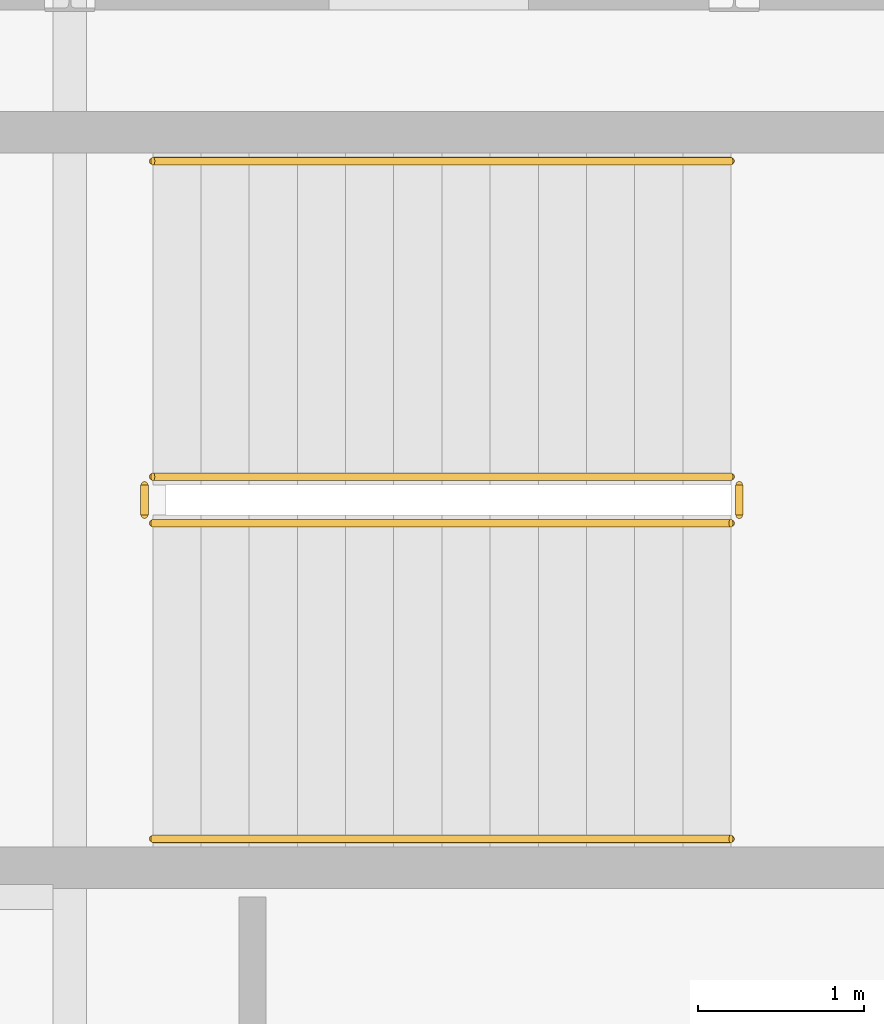
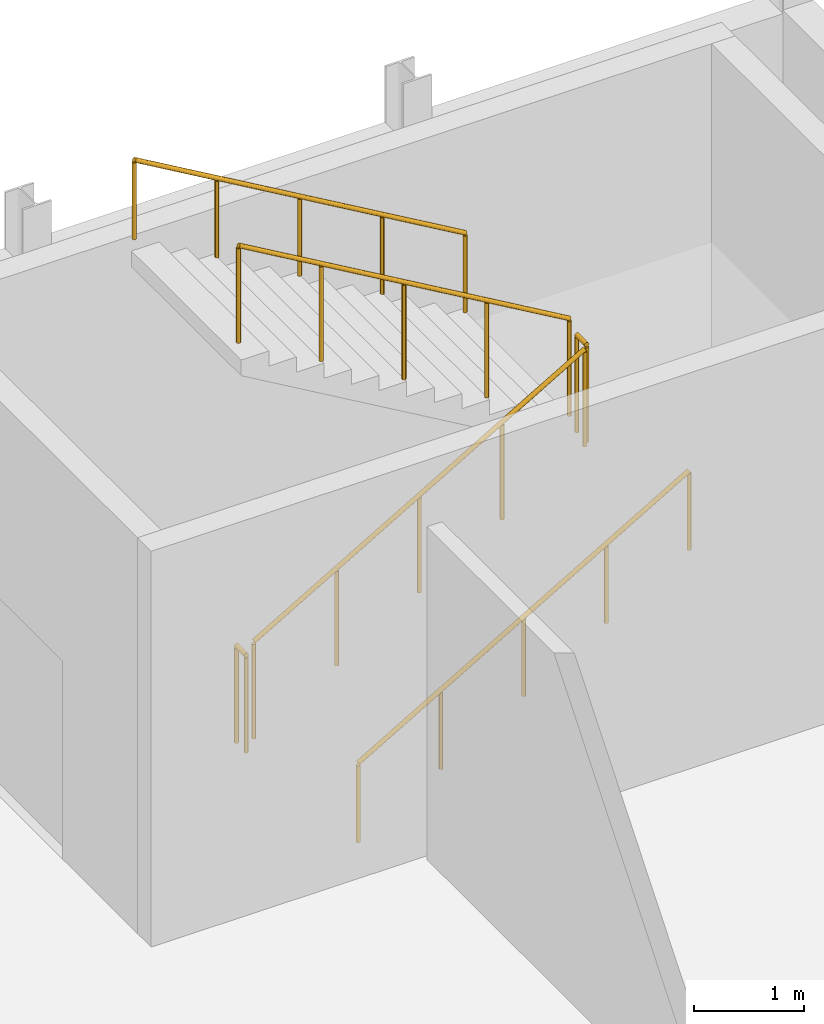
# One storey, part 153 of 153: 6 railings.
"""IFC4 building model written with IfcOpenShell, lengths in metres."""

import ifcopenshell
import ifcopenshell.guid

model = None  # the IFC model being written
_history = None  # IfcOwnerHistory: only IFC2X3 demands one
_inside = {}  # id of a spatial element -> (the spatial element, [elements in it])
_under = {}  # id of a project, library or spatial element -> (it, [spatial elements below it])
_declared = {}  # id of a project -> (the project, [libraries it declares])
_typed = {}  # id of a type object -> (the type object, [elements of that type])
_made_of = {}  # id of a material, layer set ... -> (it, [elements and type objects made of it])


def new_model(schema):
    """Start an empty IFC model of exactly this schema.

    Asked for "IFC4X3", IfcOpenShell would pick the latest addendum, in which some entities
    have other attributes; the version numbers below select the first issue.
    IFC2X3 requires an IfcOwnerHistory on every rooted entity: one is made here for all.
    """
    global model, _history
    if schema == "IFC4X3":
        model = ifcopenshell.file(schema_version=(4, 3, 0, 0))
    else:
        model = ifcopenshell.file(schema=schema)
    _inside.clear()
    _under.clear()
    _declared.clear()
    _typed.clear()
    _made_of.clear()
    _history = None
    if model.schema == "IFC2X3":
        org = make("IfcOrganization", Name="unknown")
        user = make(
            "IfcPersonAndOrganization",
            ThePerson=make("IfcPerson", FamilyName="unknown"),
            TheOrganization=org,
        )
        app = make(
            "IfcApplication",
            ApplicationDeveloper=org,
            Version="unknown",
            ApplicationFullName="unknown",
            ApplicationIdentifier="unknown",
        )
        _history = make(
            "IfcOwnerHistory",
            OwningUser=user,
            OwningApplication=app,
            ChangeAction="ADDED",
            CreationDate=0,
        )
    return model


def make(cls, **values):
    """One entity of the class cls with the attributes given. An attribute that is None is left unset."""
    return model.create_entity(
        cls, **{name: value for name, value in values.items() if value is not None}
    )


def rooted(cls, **values):
    """An entity with a GlobalId (a new one), such as an element, a storey or a relation."""
    return make(cls, GlobalId=ifcopenshell.guid.new(), OwnerHistory=_history, **values)


def si_unit(unit_type, name, prefix=None):
    """IfcSIUnit, for example si_unit("LENGTHUNIT", "METRE", prefix="MILLI")."""
    return make("IfcSIUnit", UnitType=unit_type, Prefix=prefix, Name=name)


def derived_unit(unit_type, elements):
    """IfcDerivedUnit: a product of units, each with its exponent."""
    return make(
        "IfcDerivedUnit",
        Elements=[
            make("IfcDerivedUnitElement", Unit=unit, Exponent=power)
            for unit, power in elements
        ],
        UnitType=unit_type,
    )


def assignment(units):
    """IfcUnitAssignment: the units of a project."""
    return None if units is None else make("IfcUnitAssignment", Units=units)


def point(xyz):
    """IfcCartesianPoint."""
    return None if xyz is None else make("IfcCartesianPoint", Coordinates=xyz)


def direction(xyz):
    """IfcDirection."""
    return None if xyz is None else make("IfcDirection", DirectionRatios=xyz)


def frame(location, z_axis=None, x_axis=None):
    """IfcAxis2Placement3D, a coordinate frame: its origin and axes. An axis left out is left unset."""
    return make(
        "IfcAxis2Placement3D",
        Location=point(location),
        Axis=direction(z_axis),
        RefDirection=direction(x_axis),
    )


def frame_2d(location, x_axis=None):
    """IfcAxis2Placement2D, a coordinate frame in the plane: its origin and x axis."""
    return make(
        "IfcAxis2Placement2D", Location=point(location), RefDirection=direction(x_axis)
    )


def origin():
    """The frame at (0, 0, 0) with its axes left unset."""
    return frame((0.0, 0.0, 0.0))


def origin_2d():
    """The frame at (0, 0) in the plane with its x axis left unset."""
    return frame_2d((0.0, 0.0))


def place(relative_to, where):
    """IfcLocalPlacement: puts the frame where relative to a parent placement (None: the world)."""
    return make(
        "IfcLocalPlacement", PlacementRelTo=relative_to, RelativePlacement=where
    )


def context(
    kind, dimensions, precision=None, world=None, true_north=None, identifier=None
):
    """IfcGeometricRepresentationContext, for example the 3D "Model" context."""
    return make(
        "IfcGeometricRepresentationContext",
        ContextIdentifier=identifier,
        ContextType=kind,
        CoordinateSpaceDimension=dimensions,
        Precision=precision,
        WorldCoordinateSystem=world,
        TrueNorth=true_north,
    )


def subcontext(parent, identifier, kind, view, scale=None):
    """IfcGeometricRepresentationSubContext, for example "Body" below "Model"."""
    return make(
        "IfcGeometricRepresentationSubContext",
        ContextIdentifier=identifier,
        ContextType=kind,
        ParentContext=parent,
        TargetScale=scale,
        TargetView=view,
    )


def project(units=None, contexts=None):
    """IfcProject with its units and contexts."""
    return rooted(
        "IfcProject",
        Name="project",
        RepresentationContexts=contexts,
        UnitsInContext=assignment(units),
    )


def spatial(cls, under=None, at=None, **own):
    """A site, building, storey or space (cls), placed at a placement, below another one or the project."""
    s = rooted(cls, ObjectPlacement=at, **own)
    if under is not None:
        _under.setdefault(under.id(), (under, []))[1].append(s)
    return s


def profile(cls, at=None, kind="AREA", **sizes):
    """A parametric profile (cls). Its sizes go by their IFC names, for example OverallWidth=200.0."""
    return make(cls, ProfileType=kind, Position=at, **sizes)


def circle(**sizes):
    """IfcCircleProfileDef."""
    return profile("IfcCircleProfileDef", **sizes)


def extrude(swept, where, along, depth):
    """IfcExtrudedAreaSolid: the profile swept, set in the frame where, extruded along a direction by depth."""
    return make(
        "IfcExtrudedAreaSolid",
        SweptArea=swept,
        Position=where,
        ExtrudedDirection=direction(along),
        Depth=depth,
    )


def shape(context_of_items, identifier, shape_type, items):
    """IfcShapeRepresentation: the items that make up one representation, for example the "Body"."""
    return make(
        "IfcShapeRepresentation",
        ContextOfItems=context_of_items,
        RepresentationIdentifier=identifier,
        RepresentationType=shape_type,
        Items=items,
    )


def material(Name=None, Category=None):
    """IfcMaterial."""
    return make("IfcMaterial", Name=Name, Category=Category)


def made_of(thing, what):
    """Note that an element or type object is made of a material, layer set ...; save() writes the relation."""
    if what is not None:
        _made_of.setdefault(what.id(), (what, []))[1].append(thing)
    return thing


def type_object(cls, material=None, **own):
    """A type object (cls), such as IfcWallType, which elements share."""
    return made_of(rooted(cls, **own), material)


def element(
    cls,
    number,
    at=None,
    inside=None,
    cuts=None,
    type_object=None,
    material=None,
    context=None,
    identifier="Body",
    shape_type=None,
    held_by="IfcProductDefinitionShape",
    body=None,
    shapes=None,
    **own,
):
    """One element of the class cls, such as IfcWall. Its Tag is "e" and its number.

    at: its placement. inside: the storey or other place that contains it. cuts: it is an
    opening in that element (IfcRelVoidsElement). A single representation is given by context,
    identifier, shape_type and body (its items); several are given by shapes. held_by: the class
    of the entity that holds the representations. save() writes the other relations.
    """
    e = rooted(cls, Tag="e%d" % number, ObjectPlacement=at, **own)
    if body is not None:
        shapes = [shape(context, identifier, shape_type, body)]
    if shapes is not None:
        e.Representation = make(held_by, Representations=shapes)
    if inside is not None:
        _inside.setdefault(inside.id(), (inside, []))[1].append(e)
    if cuts is not None:
        rooted(
            "IfcRelVoidsElement", RelatingBuildingElement=cuts, RelatedOpeningElement=e
        )
    if type_object is not None:
        _typed.setdefault(type_object.id(), (type_object, []))[1].append(e)
    return made_of(e, material)


def aggregate(whole, parts):
    """IfcRelAggregates: a whole, such as a stair, and the parts it consists of."""
    return rooted("IfcRelAggregates", RelatingObject=whole, RelatedObjects=parts)


def save(model, path):
    """Write the relations noted so far, then the file.

    IfcRelAggregates (storeys below a building ...), IfcRelContainedInSpatialStructure (elements
    in a storey), IfcRelDefinesByType, IfcRelAssociatesMaterial and IfcRelDeclares: one each for
    every whole, place, type object, material and project.
    """
    for whole, parts in _under.values():
        aggregate(whole, parts)
    for where, things in _inside.values():
        rooted(
            "IfcRelContainedInSpatialStructure",
            RelatedElements=things,
            RelatingStructure=where,
        )
    for kind, things in _typed.values():
        rooted("IfcRelDefinesByType", RelatedObjects=things, RelatingType=kind)
    for what, things in _made_of.values():
        rooted("IfcRelAssociatesMaterial", RelatedObjects=things, RelatingMaterial=what)
    for by, libraries in _declared.values():
        rooted("IfcRelDeclares", RelatingContext=by, RelatedDefinitions=libraries)
    model.write(path)


model = new_model("IFC4")

# Units and contexts
model_context = context("Model", 3, precision=1e-05, world=origin(), true_north=direction((0.0, 1.0)))
body_context = subcontext(model_context, "Body", "Model", "MODEL_VIEW")
ifc_project = project(units=[si_unit("LENGTHUNIT", "METRE"), si_unit("AREAUNIT", "SQUARE_METRE"), si_unit("VOLUMEUNIT", "CUBIC_METRE"), si_unit("PLANEANGLEUNIT", "RADIAN"), si_unit("MASSUNIT", "GRAM", prefix="KILO"), derived_unit("THERMALTRANSMITTANCEUNIT", [(si_unit("POWERUNIT", "WATT"), 1), (si_unit("LENGTHUNIT", "METRE"), -2), (si_unit("THERMODYNAMICTEMPERATUREUNIT", "KELVIN"), -1)])], contexts=[model_context])

# Site, building, storey
site_placement = place(None, origin())
site = spatial("IfcSite", under=ifc_project, at=site_placement, CompositionType="ELEMENT")
building_placement = place(site_placement, origin())
building = spatial("IfcBuilding", under=site, at=building_placement, Name="Keldorne Ridge Multi-Sports Centre", CompositionType="ELEMENT")
storey_placement = place(building_placement, frame((0.0, 0.0, 9.60009765625)))
storey = spatial("IfcBuildingStorey", under=building, at=storey_placement, Name="L02", CompositionType="ELEMENT", Elevation=9.60009765625)

# Railings
ifc_material_1 = material(Name="Laminated glass and stainless steel", Category="steel")
railing_type_1 = type_object("IfcRailingType", Name="RLG-BL-01", PredefinedType="BALUSTRADE", material=ifc_material_1)
railing_1_placement = place(storey_placement, frame((144.5, 113.75, 0.169189453125)))
element("IfcRailing", 1, at=railing_1_placement, inside=storey, type_object=railing_type_1, Name="L02 ST-03 stair guard 1", PredefinedType="BALUSTRADE", context=body_context, shape_type="SweptSolid", body=[
    extrude(circle(Radius=0.02392578125, at=origin_2d()), frame((0.0, 0.0, 1.076171875), z_axis=(0.863695377172, 0.0, 0.504014181796), x_axis=(0.0, 1.0, 0.0)), (0.0, 0.0, 1.0), 4.029296875),
    extrude(circle(Radius=0.02099609375, at=origin_2d()), origin(), (0.0, 0.0, 1.0), 1.052001953125),
    extrude(circle(Radius=0.02099609375, at=origin_2d()), frame((0.8701171875, 0.0, 0.5078125)), (0.0, 0.0, 1.0), 1.052001953125),
    extrude(circle(Radius=0.02099609375, at=origin_2d()), frame((1.739990234375, 0.0, 1.015380859375)), (0.0, 0.0, 1.0), 1.052001953125),
    extrude(circle(Radius=0.02099609375, at=origin_2d()), frame((2.60986328125, 0.0, 1.52294921875)), (0.0, 0.0, 1.0), 1.052001953125),
    extrude(circle(Radius=0.02099609375, at=origin_2d()), frame((3.47998046875, 0.0, 2.03076171875)), (0.0, 0.0, 1.0), 1.052001953125),
])
railing_2_placement = place(storey_placement, frame((148.030029296875, 113.800048828125, 2.199951171875)))
element("IfcRailing", 2, at=railing_2_placement, inside=storey, type_object=railing_type_1, Name="L02 ST-03 stair guard 2", PredefinedType="BALUSTRADE", context=body_context, shape_type="SweptSolid", body=[
    extrude(circle(Radius=0.02392578125, at=origin_2d()), frame((0.0, 0.0, 1.076171875), z_axis=(0.0, 1.0, 0.0), x_axis=(-1.0, 0.0, 0.0)), (0.0, 0.0, 1.0), 0.179931640625),
    extrude(circle(Radius=0.02099609375, at=origin_2d()), origin(), (0.0, 0.0, 1.0), 1.052001953125),
    extrude(circle(Radius=0.02099609375, at=origin_2d()), frame((0.0, 0.179931640625, 0.0)), (0.0, 0.0, 1.0), 1.052001953125),
])
railing_3_placement = place(storey_placement, frame((147.97998046875, 114.030029296875, 2.369140625)))
element("IfcRailing", 3, at=railing_3_placement, inside=storey, type_object=railing_type_1, Name="L02 ST-03 stair guard 3", PredefinedType="BALUSTRADE", context=body_context, shape_type="SweptSolid", body=[
    extrude(circle(Radius=0.02392578125, at=origin_2d()), frame((0.0, 0.0, 1.076171875), z_axis=(-0.863695377172, 0.0, 0.504014181796), x_axis=(0.0, -1.0, 0.0)), (0.0, 0.0, 1.0), 4.029296875),
    extrude(circle(Radius=0.02099609375, at=origin_2d()), origin(), (0.0, 0.0, 1.0), 1.052001953125),
    extrude(circle(Radius=0.02099609375, at=origin_2d()), frame((-0.8701171875, 0.0, 0.5078125)), (0.0, 0.0, 1.0), 1.052001953125),
    extrude(circle(Radius=0.02099609375, at=origin_2d()), frame((-1.739990234375, 0.0, 1.015380859375)), (0.0, 0.0, 1.0), 1.052001953125),
    extrude(circle(Radius=0.02099609375, at=origin_2d()), frame((-2.60986328125, 0.0, 1.52294921875)), (0.0, 0.0, 1.0), 1.052001953125),
    extrude(circle(Radius=0.02099609375, at=origin_2d()), frame((-3.47998046875, 0.0, 2.03076171875)), (0.0, 0.0, 1.0), 1.052001953125),
])
railing_4_placement = place(storey_placement, frame((144.449951171875, 113.800048828125, 0.0)))
element("IfcRailing", 4, at=railing_4_placement, inside=storey, type_object=railing_type_1, Name="L02 ST-03 stair guard 4", PredefinedType="BALUSTRADE", context=body_context, shape_type="SweptSolid", body=[
    extrude(circle(Radius=0.02392578125, at=origin_2d()), frame((0.0, 0.0, 1.076171875), z_axis=(0.0, 1.0, 0.0), x_axis=(-1.0, 0.0, 0.0)), (0.0, 0.0, 1.0), 0.179931640625),
    extrude(circle(Radius=0.02099609375, at=origin_2d()), origin(), (0.0, 0.0, 1.0), 1.052001953125),
    extrude(circle(Radius=0.02099609375, at=origin_2d()), frame((0.0, 0.179931640625, 0.0)), (0.0, 0.0, 1.0), 1.052001953125),
])
ifc_material_2 = material(Name="Stainless steel", Category="steel")
railing_type_2 = type_object("IfcRailingType", Name="RLG-HR-01", PredefinedType="HANDRAIL", material=ifc_material_2)
railing_5_placement = place(storey_placement, frame((144.5, 111.85009765625, 0.169189453125)))
element("IfcRailing", 5, at=railing_5_placement, inside=storey, type_object=railing_type_2, Name="L02 ST-03 stair handrail 1", PredefinedType="HANDRAIL", context=body_context, shape_type="SweptSolid", body=[
    extrude(circle(Radius=0.02392578125, at=origin_2d()), frame((0.0, 0.0, 0.8759765625), z_axis=(0.863695377172, 0.0, 0.504014181796), x_axis=(0.0, 1.0, 0.0)), (0.0, 0.0, 1.0), 4.029296875),
    extrude(circle(Radius=0.02099609375, at=origin_2d()), origin(), (0.0, 0.0, 1.0), 0.851806640625),
    extrude(circle(Radius=0.02099609375, at=origin_2d()), frame((0.8701171875, 0.0, 0.5078125)), (0.0, 0.0, 1.0), 0.851806640625),
    extrude(circle(Radius=0.02099609375, at=origin_2d()), frame((1.739990234375, 0.0, 1.015380859375)), (0.0, 0.0, 1.0), 0.851806640625),
    extrude(circle(Radius=0.02099609375, at=origin_2d()), frame((2.60986328125, 0.0, 1.52294921875)), (0.0, 0.0, 1.0), 0.851806640625),
    extrude(circle(Radius=0.02099609375, at=origin_2d()), frame((3.47998046875, 0.0, 2.03076171875)), (0.0, 0.0, 1.0), 0.851806640625),
])
railing_6_placement = place(storey_placement, frame((147.97998046875, 115.929931640625, 2.369140625)))
element("IfcRailing", 6, at=railing_6_placement, inside=storey, type_object=railing_type_2, Name="L02 ST-03 stair handrail 2", PredefinedType="HANDRAIL", context=body_context, shape_type="SweptSolid", body=[
    extrude(circle(Radius=0.02392578125, at=origin_2d()), frame((0.0, 0.0, 0.8759765625), z_axis=(-0.863695377172, 0.0, 0.504014181796), x_axis=(0.0, -1.0, 0.0)), (0.0, 0.0, 1.0), 4.029296875),
    extrude(circle(Radius=0.02099609375, at=origin_2d()), origin(), (0.0, 0.0, 1.0), 0.851806640625),
    extrude(circle(Radius=0.02099609375, at=origin_2d()), frame((-0.8701171875, 0.0, 0.5078125)), (0.0, 0.0, 1.0), 0.851806640625),
    extrude(circle(Radius=0.02099609375, at=origin_2d()), frame((-1.739990234375, 0.0, 1.015380859375)), (0.0, 0.0, 1.0), 0.851806640625),
    extrude(circle(Radius=0.02099609375, at=origin_2d()), frame((-2.60986328125, 0.0, 1.52294921875)), (0.0, 0.0, 1.0), 0.851806640625),
    extrude(circle(Radius=0.02099609375, at=origin_2d()), frame((-3.47998046875, 0.0, 2.03076171875)), (0.0, 0.0, 1.0), 0.851806640625),
])

save(model, "model.ifc")
